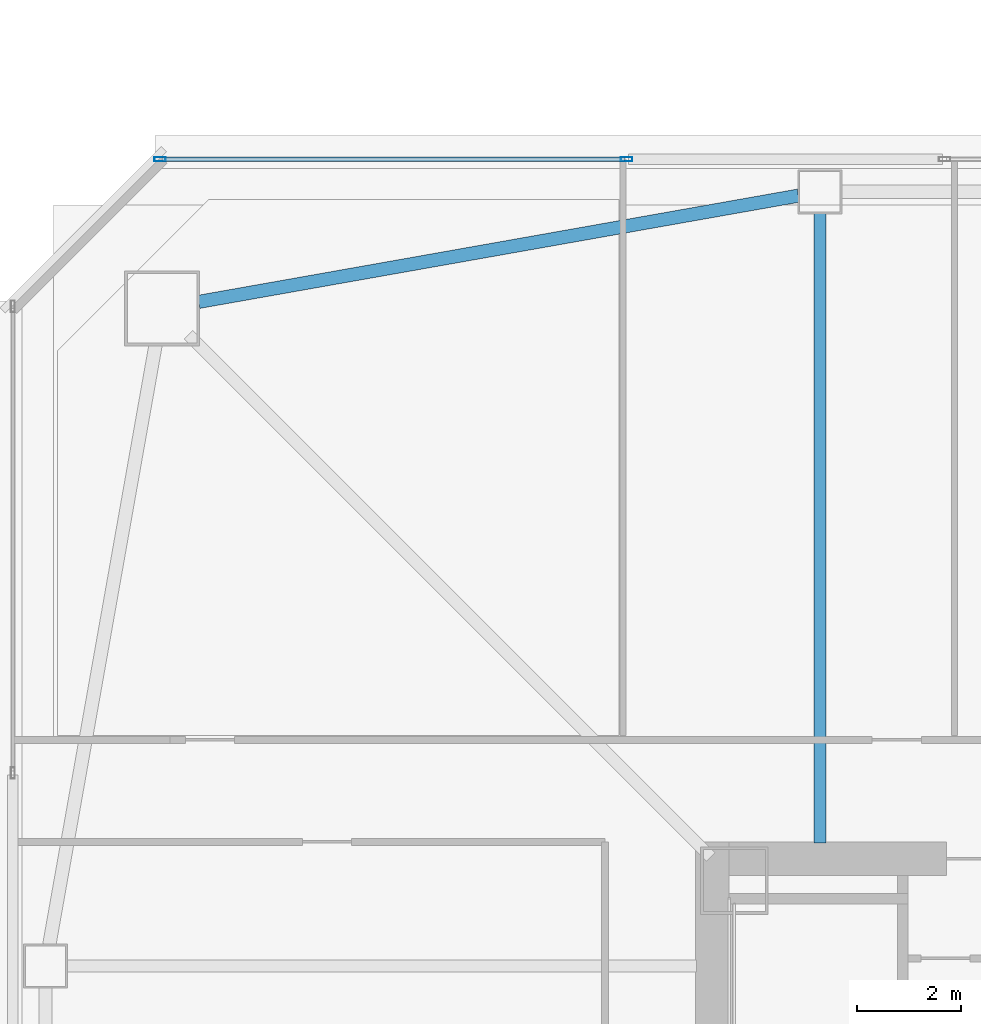
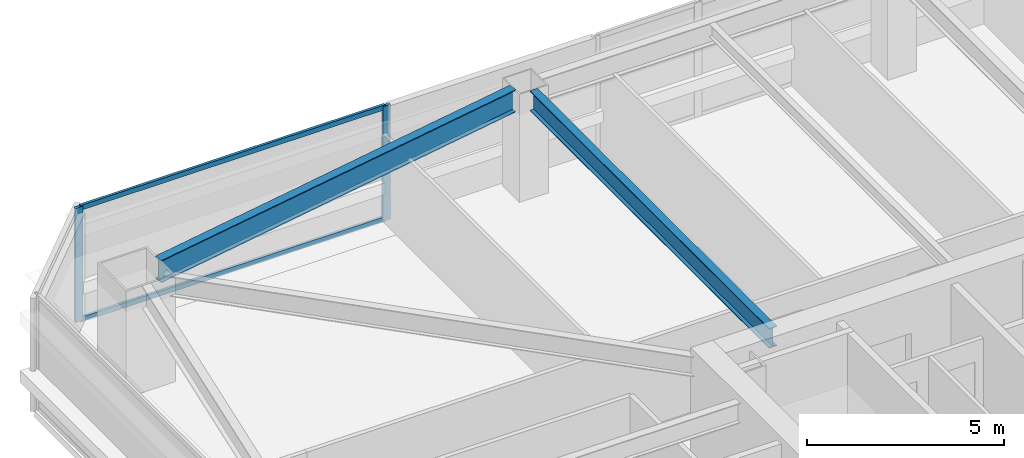
# One storey, part 12 of 44: 4 members, 2 beams, 1 element without a shape of its own.
"""IFC4 building model written with IfcOpenShell, lengths in metres."""

import ifcopenshell
import ifcopenshell.guid

model = None  # the IFC model being written
_history = None  # IfcOwnerHistory: only IFC2X3 demands one
_inside = {}  # id of a spatial element -> (the spatial element, [elements in it])
_under = {}  # id of a project, library or spatial element -> (it, [spatial elements below it])
_declared = {}  # id of a project -> (the project, [libraries it declares])
_typed = {}  # id of a type object -> (the type object, [elements of that type])
_made_of = {}  # id of a material, layer set ... -> (it, [elements and type objects made of it])


def new_model(schema):
    """Start an empty IFC model of exactly this schema.

    Asked for "IFC4X3", IfcOpenShell would pick the latest addendum, in which some entities
    have other attributes; the version numbers below select the first issue.
    IFC2X3 requires an IfcOwnerHistory on every rooted entity: one is made here for all.
    """
    global model, _history
    if schema == "IFC4X3":
        model = ifcopenshell.file(schema_version=(4, 3, 0, 0))
    else:
        model = ifcopenshell.file(schema=schema)
    _inside.clear()
    _under.clear()
    _declared.clear()
    _typed.clear()
    _made_of.clear()
    _history = None
    if model.schema == "IFC2X3":
        org = make("IfcOrganization", Name="unknown")
        user = make(
            "IfcPersonAndOrganization",
            ThePerson=make("IfcPerson", FamilyName="unknown"),
            TheOrganization=org,
        )
        app = make(
            "IfcApplication",
            ApplicationDeveloper=org,
            Version="unknown",
            ApplicationFullName="unknown",
            ApplicationIdentifier="unknown",
        )
        _history = make(
            "IfcOwnerHistory",
            OwningUser=user,
            OwningApplication=app,
            ChangeAction="ADDED",
            CreationDate=0,
        )
    return model


def make(cls, **values):
    """One entity of the class cls with the attributes given. An attribute that is None is left unset."""
    return model.create_entity(
        cls, **{name: value for name, value in values.items() if value is not None}
    )


def rooted(cls, **values):
    """An entity with a GlobalId (a new one), such as an element, a storey or a relation."""
    return make(cls, GlobalId=ifcopenshell.guid.new(), OwnerHistory=_history, **values)


def si_unit(unit_type, name, prefix=None):
    """IfcSIUnit, for example si_unit("LENGTHUNIT", "METRE", prefix="MILLI")."""
    return make("IfcSIUnit", UnitType=unit_type, Prefix=prefix, Name=name)


def assignment(units):
    """IfcUnitAssignment: the units of a project."""
    return None if units is None else make("IfcUnitAssignment", Units=units)


def point(xyz):
    """IfcCartesianPoint."""
    return None if xyz is None else make("IfcCartesianPoint", Coordinates=xyz)


def direction(xyz):
    """IfcDirection."""
    return None if xyz is None else make("IfcDirection", DirectionRatios=xyz)


def frame(location, z_axis=None, x_axis=None):
    """IfcAxis2Placement3D, a coordinate frame: its origin and axes. An axis left out is left unset."""
    return make(
        "IfcAxis2Placement3D",
        Location=point(location),
        Axis=direction(z_axis),
        RefDirection=direction(x_axis),
    )


def frame_2d(location, x_axis=None):
    """IfcAxis2Placement2D, a coordinate frame in the plane: its origin and x axis."""
    return make(
        "IfcAxis2Placement2D", Location=point(location), RefDirection=direction(x_axis)
    )


def origin():
    """The frame at (0, 0, 0) with its axes left unset."""
    return frame((0.0, 0.0, 0.0))


def origin_2d():
    """The frame at (0, 0) in the plane with its x axis left unset."""
    return frame_2d((0.0, 0.0))


def place(relative_to, where):
    """IfcLocalPlacement: puts the frame where relative to a parent placement (None: the world)."""
    return make(
        "IfcLocalPlacement", PlacementRelTo=relative_to, RelativePlacement=where
    )


def context(
    kind, dimensions, precision=None, world=None, true_north=None, identifier=None
):
    """IfcGeometricRepresentationContext, for example the 3D "Model" context."""
    return make(
        "IfcGeometricRepresentationContext",
        ContextIdentifier=identifier,
        ContextType=kind,
        CoordinateSpaceDimension=dimensions,
        Precision=precision,
        WorldCoordinateSystem=world,
        TrueNorth=true_north,
    )


def subcontext(parent, identifier, kind, view, scale=None):
    """IfcGeometricRepresentationSubContext, for example "Body" below "Model"."""
    return make(
        "IfcGeometricRepresentationSubContext",
        ContextIdentifier=identifier,
        ContextType=kind,
        ParentContext=parent,
        TargetScale=scale,
        TargetView=view,
    )


def project(units=None, contexts=None):
    """IfcProject with its units and contexts."""
    return rooted(
        "IfcProject",
        Name="project",
        RepresentationContexts=contexts,
        UnitsInContext=assignment(units),
    )


def spatial(cls, under=None, at=None, **own):
    """A site, building, storey or space (cls), placed at a placement, below another one or the project."""
    s = rooted(cls, ObjectPlacement=at, **own)
    if under is not None:
        _under.setdefault(under.id(), (under, []))[1].append(s)
    return s


def profile(cls, at=None, kind="AREA", **sizes):
    """A parametric profile (cls). Its sizes go by their IFC names, for example OverallWidth=200.0."""
    return make(cls, ProfileType=kind, Position=at, **sizes)


def hollow_rectangle(**sizes):
    """IfcRectangleHollowProfileDef."""
    return profile("IfcRectangleHollowProfileDef", **sizes)


def i_section(**sizes):
    """IfcIShapeProfileDef."""
    return profile("IfcIShapeProfileDef", **sizes)


def extrude(swept, where, along, depth):
    """IfcExtrudedAreaSolid: the profile swept, set in the frame where, extruded along a direction by depth."""
    return make(
        "IfcExtrudedAreaSolid",
        SweptArea=swept,
        Position=where,
        ExtrudedDirection=direction(along),
        Depth=depth,
    )


def shape(context_of_items, identifier, shape_type, items):
    """IfcShapeRepresentation: the items that make up one representation, for example the "Body"."""
    return make(
        "IfcShapeRepresentation",
        ContextOfItems=context_of_items,
        RepresentationIdentifier=identifier,
        RepresentationType=shape_type,
        Items=items,
    )


def material(Name=None, Category=None):
    """IfcMaterial."""
    return make("IfcMaterial", Name=Name, Category=Category)


def material_profile(
    of_material, cross_section, Name=None, Category=None, Priority=None
):
    """IfcMaterialProfile: a cross section and its material."""
    return make(
        "IfcMaterialProfile",
        Name=Name,
        Material=of_material,
        Profile=cross_section,
        Priority=Priority,
        Category=Category,
    )


def profile_set(profiles, Name=None, composite=None):
    """IfcMaterialProfileSet."""
    return make(
        "IfcMaterialProfileSet",
        Name=Name,
        MaterialProfiles=profiles,
        CompositeProfile=composite,
    )


def made_of(thing, what):
    """Note that an element or type object is made of a material, layer set ...; save() writes the relation."""
    if what is not None:
        _made_of.setdefault(what.id(), (what, []))[1].append(thing)
    return thing


def type_object(cls, material=None, **own):
    """A type object (cls), such as IfcWallType, which elements share."""
    return made_of(rooted(cls, **own), material)


def element(
    cls,
    number,
    at=None,
    inside=None,
    cuts=None,
    type_object=None,
    material=None,
    context=None,
    identifier="Body",
    shape_type=None,
    held_by="IfcProductDefinitionShape",
    body=None,
    shapes=None,
    **own,
):
    """One element of the class cls, such as IfcWall. Its Tag is "e" and its number.

    at: its placement. inside: the storey or other place that contains it. cuts: it is an
    opening in that element (IfcRelVoidsElement). A single representation is given by context,
    identifier, shape_type and body (its items); several are given by shapes. held_by: the class
    of the entity that holds the representations. save() writes the other relations.
    """
    e = rooted(cls, Tag="e%d" % number, ObjectPlacement=at, **own)
    if body is not None:
        shapes = [shape(context, identifier, shape_type, body)]
    if shapes is not None:
        e.Representation = make(held_by, Representations=shapes)
    if inside is not None:
        _inside.setdefault(inside.id(), (inside, []))[1].append(e)
    if cuts is not None:
        rooted(
            "IfcRelVoidsElement", RelatingBuildingElement=cuts, RelatedOpeningElement=e
        )
    if type_object is not None:
        _typed.setdefault(type_object.id(), (type_object, []))[1].append(e)
    return made_of(e, material)


def aggregate(whole, parts):
    """IfcRelAggregates: a whole, such as a stair, and the parts it consists of."""
    return rooted("IfcRelAggregates", RelatingObject=whole, RelatedObjects=parts)


def save(model, path):
    """Write the relations noted so far, then the file.

    IfcRelAggregates (storeys below a building ...), IfcRelContainedInSpatialStructure (elements
    in a storey), IfcRelDefinesByType, IfcRelAssociatesMaterial and IfcRelDeclares: one each for
    every whole, place, type object, material and project.
    """
    for whole, parts in _under.values():
        aggregate(whole, parts)
    for where, things in _inside.values():
        rooted(
            "IfcRelContainedInSpatialStructure",
            RelatedElements=things,
            RelatingStructure=where,
        )
    for kind, things in _typed.values():
        rooted("IfcRelDefinesByType", RelatedObjects=things, RelatingType=kind)
    for what, things in _made_of.values():
        rooted("IfcRelAssociatesMaterial", RelatedObjects=things, RelatingMaterial=what)
    for by, libraries in _declared.values():
        rooted("IfcRelDeclares", RelatingContext=by, RelatedDefinitions=libraries)
    model.write(path)


model = new_model("IFC4")

# Units and contexts
model_context = context("Model", 3, precision=1e-05, world=origin(), true_north=direction((0.0, 1.0)))
body_context = subcontext(model_context, "Body", "Model", "MODEL_VIEW")
ifc_project = project(units=[si_unit("LENGTHUNIT", "METRE"), si_unit("AREAUNIT", "SQUARE_METRE"), si_unit("VOLUMEUNIT", "CUBIC_METRE"), si_unit("PLANEANGLEUNIT", "RADIAN"), si_unit("MASSUNIT", "GRAM", prefix="KILO")], contexts=[model_context])

# Site, building, storey
site_placement = place(None, origin())
site = spatial("IfcSite", under=ifc_project, at=site_placement, CompositionType="ELEMENT")
building_placement = place(site_placement, origin())
building = spatial("IfcBuilding", under=site, at=building_placement, Name="Tashvorn Skyway Center", CompositionType="ELEMENT")
storey_placement = place(building_placement, frame((0.0, 0.0, 95.60009765625)))
storey = spatial("IfcBuildingStorey", under=building, at=storey_placement, Name="L25", CompositionType="ELEMENT", Elevation=95.60009765625)

# Beams
ifc_material_1 = material(Name="Steel ASTM A992 Grade 50", Category="steel")
ifc_material_profile_1 = material_profile(ifc_material_1, i_section(OverallWidth=0.22998046875, OverallDepth=0.616943359375, WebThickness=0.01318359375, FlangeThickness=0.022216796875, at=origin_2d()), Name="W24X94")
ifc_profile_set_1 = profile_set([ifc_material_profile_1], Name="Steel ASTM A992 Grade 50")
beam_type_1 = type_object("IfcBeamType", Name="BM-BEAM-W24X94", PredefinedType="BEAM", material=ifc_profile_set_1)
beam_1_placement = place(storey_placement, frame((36.60009765625, 51.929931640625, 3.04150390625), z_axis=(0.0, -1.0, 0.0), x_axis=(1.0, 0.0, 0.0)))
element("IfcBeam", 1, at=beam_1_placement, inside=storey, type_object=beam_type_1, Name="Tower 1 L25 Primary Floor Girder FC-N2", PredefinedType="BEAM", context=body_context, shape_type="SweptSolid", body=[
    extrude(i_section(OverallWidth=0.22998046875, OverallDepth=0.616943359375, WebThickness=0.01318359375, FlangeThickness=0.022216796875, at=origin_2d()), origin(), (0.0, 0.0, 1.0), 12.14990234375),
])
ifc_material_profile_2 = material_profile(ifc_material_1, i_section(OverallWidth=0.256103515625, OverallDepth=0.693115234375, WebThickness=0.014404296875, FlangeThickness=0.023681640625, at=origin_2d()), Name="W27X114")
ifc_profile_set_2 = profile_set([ifc_material_profile_2], Name="Steel ASTM A992 Grade 50")
beam_type_2 = type_object("IfcBeamType", Name="BM-SPANDREL-W27X114", PredefinedType="SPANDREL", material=ifc_profile_set_2)
beam_2_placement = place(storey_placement, frame((36.1865234375, 52.276611328125, 3.00341796875), z_axis=(-0.98466816531, -0.174437966698, 0.0), x_axis=(0.174437966698, -0.98466816531, 0.0)))
element("IfcBeam", 2, at=beam_2_placement, inside=storey, type_object=beam_type_2, Name="Tower 1 L25 Spandrel Beam 09", PredefinedType="SPANDREL", context=body_context, shape_type="SweptSolid", body=[
    extrude(i_section(OverallWidth=0.256103515625, OverallDepth=0.693115234375, WebThickness=0.014404296875, FlangeThickness=0.023681640625, at=origin_2d()), origin(), (0.0, 0.0, 1.0), 11.7578125),
])

# Curtain wall, members
ifc_material_2 = material(Name="Thermally broken bronze-anodized aluminium 6063-T6", Category="aluminium")
curtain_wall_type = type_object("IfcCurtainWallType", Name="CW-CW-Z2", PredefinedType="NOTDEFINED", material=ifc_material_2)
curtain_wall_placement = place(storey_placement, origin())
curtain_wall = element("IfcCurtainWall", 3, at=curtain_wall_placement, inside=storey, type_object=curtain_wall_type, Name="Tower 1 L25 North Unitised Curtain Wall Glazing Group 1", PredefinedType="NOTDEFINED")
ifc_material_profile_3 = material_profile(ifc_material_2, hollow_rectangle(XDim=0.080078125, YDim=0.219970703125, WallThickness=0.0048828125, at=origin_2d()), Name="ALU-MULL-80x220")
ifc_profile_set_3 = profile_set([ifc_material_profile_3], Name="Thermally broken bronze-anodized aluminium 6063-T6")
member_type_1 = type_object("IfcMemberType", Name="CWM-CW-Z2", PredefinedType="MULLION", material=ifc_profile_set_3)
member_1_placement = place(storey_placement, frame((23.860107421875, 52.97998046875, 0.0), z_axis=(0.0, 0.0, 1.0), x_axis=(0.0, 1.0, 0.0)))
member_1 = element("IfcMember", 4, at=member_1_placement, type_object=member_type_1, Name="CW-Z2 mullion 1", PredefinedType="MULLION", context=body_context, shape_type="SweptSolid", body=[
    extrude(hollow_rectangle(XDim=0.080078125, YDim=0.219970703125, WallThickness=0.0048828125, at=origin_2d()), origin(), (0.0, 0.0, 1.0), 3.5498046875),
])
member_2_placement = place(storey_placement, frame((32.8701171875, 52.97998046875, 0.0), z_axis=(0.0, 0.0, 1.0), x_axis=(0.0, 1.0, 0.0)))
member_2 = element("IfcMember", 5, at=member_2_placement, type_object=member_type_1, Name="CW-Z2 mullion 2", PredefinedType="MULLION", context=body_context, shape_type="SweptSolid", body=[
    extrude(hollow_rectangle(XDim=0.080078125, YDim=0.219970703125, WallThickness=0.0048828125, at=origin_2d()), origin(), (0.0, 0.0, 1.0), 3.5498046875),
])
ifc_material_profile_4 = material_profile(ifc_material_2, hollow_rectangle(XDim=0.080078125, YDim=0.14990234375, WallThickness=0.00439453125, at=origin_2d()), Name="ALU-TRAN-80x150")
ifc_profile_set_4 = profile_set([ifc_material_profile_4], Name="Thermally broken bronze-anodized aluminium 6063-T6")
member_type_2 = type_object("IfcMemberType", Name="CWT-CW-Z2", PredefinedType="USERDEFINED", material=ifc_profile_set_4)
member_3_placement = place(storey_placement, frame((23.89990234375, 52.97998046875, 0.039794921875), z_axis=(1.0, 0.0, 0.0), x_axis=(0.0, 1.0, 0.0)))
member_3 = element("IfcMember", 6, at=member_3_placement, type_object=member_type_2, Name="CW-Z2 transom 1.1", ObjectType="TRANSOM", PredefinedType="USERDEFINED", context=body_context, shape_type="SweptSolid", body=[
    extrude(hollow_rectangle(XDim=0.080078125, YDim=0.14990234375, WallThickness=0.00439453125, at=origin_2d()), origin(), (0.0, 0.0, 1.0), 8.93017578125),
])
member_4_placement = place(storey_placement, frame((23.89990234375, 52.97998046875, 3.510009765625), z_axis=(1.0, 0.0, 0.0), x_axis=(0.0, 1.0, 0.0)))
member_4 = element("IfcMember", 7, at=member_4_placement, type_object=member_type_2, Name="CW-Z2 transom 1.2", ObjectType="TRANSOM", PredefinedType="USERDEFINED", context=body_context, shape_type="SweptSolid", body=[
    extrude(hollow_rectangle(XDim=0.080078125, YDim=0.14990234375, WallThickness=0.00439453125, at=origin_2d()), origin(), (0.0, 0.0, 1.0), 8.93017578125),
])
aggregate(curtain_wall, [member_1, member_2, member_3, member_4])

save(model, "model.ifc")
